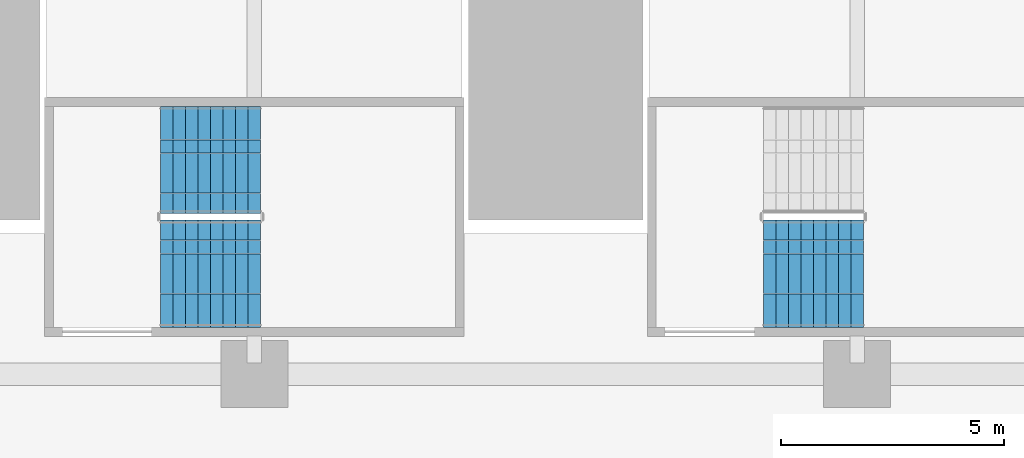
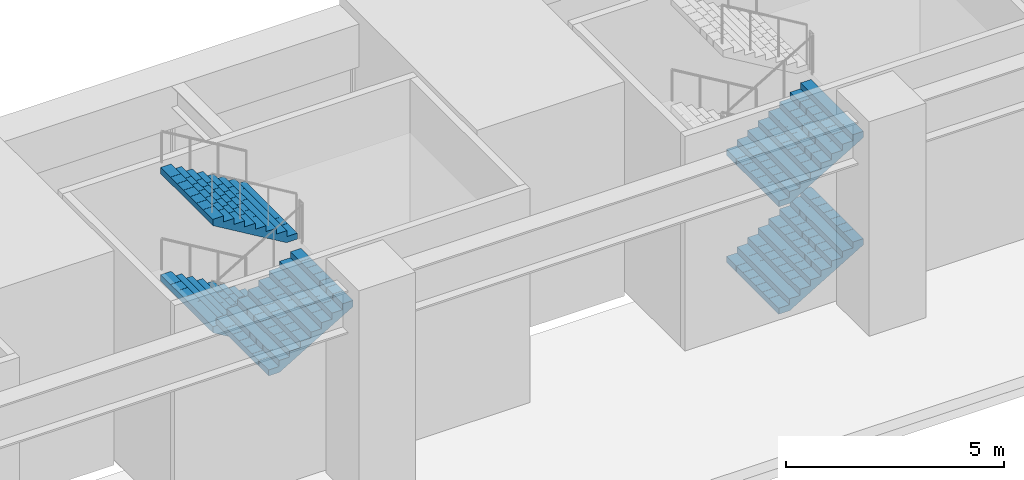
# One storey, part 30 of 41: 5 stair flights, 2 elements without a shape of their own.
"""IFC4 building model written with IfcOpenShell, lengths in metres."""

from ifc_helpers import new_model, si_unit, direction, frame, origin, place, context, subcontext, project, spatial, polyline, outline, extrude, material, type_object, element, aggregate, save


model = new_model("IFC4")

# Units and contexts
model_context = context("Model", 3, precision=1e-05, world=origin(), true_north=direction((0.0, 1.0)))
body_context = subcontext(model_context, "Body", "Model", "MODEL_VIEW")
ifc_project = project(units=[si_unit("LENGTHUNIT", "METRE"), si_unit("AREAUNIT", "SQUARE_METRE"), si_unit("VOLUMEUNIT", "CUBIC_METRE"), si_unit("PLANEANGLEUNIT", "RADIAN"), si_unit("MASSUNIT", "GRAM", prefix="KILO")], contexts=[model_context])

# Site, building, storey
site_placement = place(None, origin())
site = spatial("IfcSite", under=ifc_project, at=site_placement, CompositionType="ELEMENT")
building_placement = place(site_placement, origin())
building = spatial("IfcBuilding", under=site, at=building_placement, Name="Corbelhall Arena Tower", CompositionType="ELEMENT")
storey_placement = place(building_placement, frame((0.0, 0.0, 19.0)))
storey = spatial("IfcBuildingStorey", under=building, at=storey_placement, Name="L02", CompositionType="ELEMENT", Elevation=19.0)

# Stair, stair flights
ifc_material = material(Name="Reinforced concrete C40/50", Category="concrete")
stair_type = type_object("IfcStairType", Name="AR-EXIT-STAIR", PredefinedType="HALF_TURN_STAIR", material=ifc_material)
stair_1_placement = place(storey_placement, origin())
stair_1 = element("IfcStair", 1, at=stair_1_placement, inside=storey, type_object=stair_type, Name="L02 exit stair AS10", PredefinedType="HALF_TURN_STAIR")
stair_flight_type = type_object("IfcStairFlightType", Name="AR-EXIT-FLIGHT", PredefinedType="STRAIGHT", material=ifc_material)
stair_flight_1_placement = place(storey_placement, frame((-6.610107421875, 34.050048828125, 1.5), z_axis=(0.0, 0.0, 1.0), x_axis=(-1.0, 0.0, 0.0)))
stair_flight_1 = element("IfcStairFlight", 2, at=stair_flight_1_placement, type_object=stair_flight_type, Name="AS10 flight 2", NumberOfRisers=9, NumberOfTreads=8, PredefinedType="STRAIGHT", RiserHeight=0.166666667, TreadLength=0.28, context=body_context, shape_type="SweptSolid", body=[
    extrude(outline(polyline([(0.0, 0.0), (0.0, 0.166748046875), (0.280029296875, 0.166748046875), (0.280029296875, 0.333251953125), (0.56005859375, 0.333251953125), (0.56005859375, 0.5), (0.840087890625, 0.5), (0.840087890625, 0.666748046875), (1.1201171875, 0.666748046875), (1.1201171875, 0.833251953125), (1.39990234375, 0.833251953125), (1.39990234375, 1.0), (1.679931640625, 1.0), (1.679931640625, 1.166748046875), (1.9599609375, 1.166748046875), (1.9599609375, 1.333251953125), (2.239990234375, 1.333251953125), (2.239990234375, 1.5), (2.239990234375, 1.158935546875), (0.29296875, 0.0), (0.0, 0.0)])), frame((0.0, 1.199951171875, 0.0), z_axis=(0.0, -1.0, 0.0), x_axis=(1.0, 0.0, 0.0)), (0.0, 0.0, 1.0), 0.449951171875),
    extrude(outline(polyline([(0.0, 0.0), (0.0, 0.166748046875), (0.280029296875, 0.166748046875), (0.280029296875, 0.333251953125), (0.56005859375, 0.333251953125), (0.56005859375, 0.5), (0.840087890625, 0.5), (0.840087890625, 0.666748046875), (1.1201171875, 0.666748046875), (1.1201171875, 0.833251953125), (1.39990234375, 0.833251953125), (1.39990234375, 1.0), (1.679931640625, 1.0), (1.679931640625, 1.166748046875), (1.9599609375, 1.166748046875), (1.9599609375, 1.333251953125), (2.239990234375, 1.333251953125), (2.239990234375, 1.5), (2.239990234375, 1.158935546875), (0.29296875, 0.0), (0.0, 0.0)])), frame((0.0, 0.745849609375, 0.0), z_axis=(0.0, -1.0, 0.0), x_axis=(1.0, 0.0, 0.0)), (0.0, 0.0, 1.0), 0.295166015625),
    extrude(outline(polyline([(0.0, 0.0), (0.0, 0.166748046875), (0.280029296875, 0.166748046875), (0.280029296875, 0.333251953125), (0.56005859375, 0.333251953125), (0.56005859375, 0.5), (0.840087890625, 0.5), (0.840087890625, 0.666748046875), (1.1201171875, 0.666748046875), (1.1201171875, 0.833251953125), (1.39990234375, 0.833251953125), (1.39990234375, 1.0), (1.679931640625, 1.0), (1.679931640625, 1.166748046875), (1.9599609375, 1.166748046875), (1.9599609375, 1.333251953125), (2.239990234375, 1.333251953125), (2.239990234375, 1.5), (2.239990234375, 1.158935546875), (0.29296875, 0.0), (0.0, 0.0)])), frame((0.0, 0.44677734375, 0.0), z_axis=(0.0, -1.0, 0.0), x_axis=(1.0, 0.0, 0.0)), (0.0, 0.0, 1.0), 0.295166015625),
    extrude(outline(polyline([(0.0, 0.0), (0.0, 0.166748046875), (0.280029296875, 0.166748046875), (0.280029296875, 0.333251953125), (0.56005859375, 0.333251953125), (0.56005859375, 0.5), (0.840087890625, 0.5), (0.840087890625, 0.666748046875), (1.1201171875, 0.666748046875), (1.1201171875, 0.833251953125), (1.39990234375, 0.833251953125), (1.39990234375, 1.0), (1.679931640625, 1.0), (1.679931640625, 1.166748046875), (1.9599609375, 1.166748046875), (1.9599609375, 1.333251953125), (2.239990234375, 1.333251953125), (2.239990234375, 1.5), (2.239990234375, 1.158935546875), (0.29296875, 0.0), (0.0, 0.0)])), frame((0.0, 0.147705078125, 0.0), z_axis=(0.0, -1.0, 0.0), x_axis=(1.0, 0.0, 0.0)), (0.0, 0.0, 1.0), 0.295166015625),
    extrude(outline(polyline([(0.0, 0.0), (0.0, 0.166748046875), (0.280029296875, 0.166748046875), (0.280029296875, 0.333251953125), (0.56005859375, 0.333251953125), (0.56005859375, 0.5), (0.840087890625, 0.5), (0.840087890625, 0.666748046875), (1.1201171875, 0.666748046875), (1.1201171875, 0.833251953125), (1.39990234375, 0.833251953125), (1.39990234375, 1.0), (1.679931640625, 1.0), (1.679931640625, 1.166748046875), (1.9599609375, 1.166748046875), (1.9599609375, 1.333251953125), (2.239990234375, 1.333251953125), (2.239990234375, 1.5), (2.239990234375, 1.158935546875), (0.29296875, 0.0), (0.0, 0.0)])), frame((0.0, -0.151611328125, 0.0), z_axis=(0.0, -1.0, 0.0), x_axis=(1.0, 0.0, 0.0)), (0.0, 0.0, 1.0), 0.295166015625),
    extrude(outline(polyline([(0.0, 0.0), (0.0, 0.166748046875), (0.280029296875, 0.166748046875), (0.280029296875, 0.333251953125), (0.56005859375, 0.333251953125), (0.56005859375, 0.5), (0.840087890625, 0.5), (0.840087890625, 0.666748046875), (1.1201171875, 0.666748046875), (1.1201171875, 0.833251953125), (1.39990234375, 0.833251953125), (1.39990234375, 1.0), (1.679931640625, 1.0), (1.679931640625, 1.166748046875), (1.9599609375, 1.166748046875), (1.9599609375, 1.333251953125), (2.239990234375, 1.333251953125), (2.239990234375, 1.5), (2.239990234375, 1.158935546875), (0.29296875, 0.0), (0.0, 0.0)])), frame((0.0, -0.45068359375, 0.0), z_axis=(0.0, -1.0, 0.0), x_axis=(1.0, 0.0, 0.0)), (0.0, 0.0, 1.0), 0.295166015625),
    extrude(outline(polyline([(0.0, 0.0), (0.0, 0.166748046875), (0.280029296875, 0.166748046875), (0.280029296875, 0.333251953125), (0.56005859375, 0.333251953125), (0.56005859375, 0.5), (0.840087890625, 0.5), (0.840087890625, 0.666748046875), (1.1201171875, 0.666748046875), (1.1201171875, 0.833251953125), (1.39990234375, 0.833251953125), (1.39990234375, 1.0), (1.679931640625, 1.0), (1.679931640625, 1.166748046875), (1.9599609375, 1.166748046875), (1.9599609375, 1.333251953125), (2.239990234375, 1.333251953125), (2.239990234375, 1.5), (2.239990234375, 1.158935546875), (0.29296875, 0.0), (0.0, 0.0)])), frame((0.0, -0.75, 0.0), z_axis=(0.0, -1.0, 0.0), x_axis=(1.0, 0.0, 0.0)), (0.0, 0.0, 1.0), 0.449951171875),
])
stair_flight_2_placement = place(storey_placement, frame((-8.85009765625, 31.5, 3.0), z_axis=(0.0, 0.0, 1.0), x_axis=(1.0, 0.0, 0.0)))
stair_flight_2 = element("IfcStairFlight", 3, at=stair_flight_2_placement, type_object=stair_flight_type, Name="AS10 flight 3", NumberOfRisers=9, NumberOfTreads=8, PredefinedType="STRAIGHT", RiserHeight=0.166666667, TreadLength=0.28, context=body_context, shape_type="SweptSolid", body=[
    extrude(outline(polyline([(0.0, 0.0), (0.0, 0.166748046875), (0.280029296875, 0.166748046875), (0.280029296875, 0.333251953125), (0.56005859375, 0.333251953125), (0.56005859375, 0.5), (0.840087890625, 0.5), (0.840087890625, 0.666748046875), (1.1201171875, 0.666748046875), (1.1201171875, 0.833251953125), (1.39990234375, 0.833251953125), (1.39990234375, 1.0), (1.679931640625, 1.0), (1.679931640625, 1.166748046875), (1.9599609375, 1.166748046875), (1.9599609375, 1.333251953125), (2.239990234375, 1.333251953125), (2.239990234375, 1.5), (2.239990234375, 1.158935546875), (0.29296875, 0.0), (0.0, 0.0)])), frame((0.0, 1.199951171875, 0.0), z_axis=(0.0, -1.0, 0.0), x_axis=(1.0, 0.0, 0.0)), (0.0, 0.0, 1.0), 0.449951171875),
    extrude(outline(polyline([(0.0, 0.0), (0.0, 0.166748046875), (0.280029296875, 0.166748046875), (0.280029296875, 0.333251953125), (0.56005859375, 0.333251953125), (0.56005859375, 0.5), (0.840087890625, 0.5), (0.840087890625, 0.666748046875), (1.1201171875, 0.666748046875), (1.1201171875, 0.833251953125), (1.39990234375, 0.833251953125), (1.39990234375, 1.0), (1.679931640625, 1.0), (1.679931640625, 1.166748046875), (1.9599609375, 1.166748046875), (1.9599609375, 1.333251953125), (2.239990234375, 1.333251953125), (2.239990234375, 1.5), (2.239990234375, 1.158935546875), (0.29296875, 0.0), (0.0, 0.0)])), frame((0.0, 0.745849609375, 0.0), z_axis=(0.0, -1.0, 0.0), x_axis=(1.0, 0.0, 0.0)), (0.0, 0.0, 1.0), 0.295166015625),
    extrude(outline(polyline([(0.0, 0.0), (0.0, 0.166748046875), (0.280029296875, 0.166748046875), (0.280029296875, 0.333251953125), (0.56005859375, 0.333251953125), (0.56005859375, 0.5), (0.840087890625, 0.5), (0.840087890625, 0.666748046875), (1.1201171875, 0.666748046875), (1.1201171875, 0.833251953125), (1.39990234375, 0.833251953125), (1.39990234375, 1.0), (1.679931640625, 1.0), (1.679931640625, 1.166748046875), (1.9599609375, 1.166748046875), (1.9599609375, 1.333251953125), (2.239990234375, 1.333251953125), (2.239990234375, 1.5), (2.239990234375, 1.158935546875), (0.29296875, 0.0), (0.0, 0.0)])), frame((0.0, 0.44677734375, 0.0), z_axis=(0.0, -1.0, 0.0), x_axis=(1.0, 0.0, 0.0)), (0.0, 0.0, 1.0), 0.295166015625),
    extrude(outline(polyline([(0.0, 0.0), (0.0, 0.166748046875), (0.280029296875, 0.166748046875), (0.280029296875, 0.333251953125), (0.56005859375, 0.333251953125), (0.56005859375, 0.5), (0.840087890625, 0.5), (0.840087890625, 0.666748046875), (1.1201171875, 0.666748046875), (1.1201171875, 0.833251953125), (1.39990234375, 0.833251953125), (1.39990234375, 1.0), (1.679931640625, 1.0), (1.679931640625, 1.166748046875), (1.9599609375, 1.166748046875), (1.9599609375, 1.333251953125), (2.239990234375, 1.333251953125), (2.239990234375, 1.5), (2.239990234375, 1.158935546875), (0.29296875, 0.0), (0.0, 0.0)])), frame((0.0, 0.147705078125, 0.0), z_axis=(0.0, -1.0, 0.0), x_axis=(1.0, 0.0, 0.0)), (0.0, 0.0, 1.0), 0.295166015625),
    extrude(outline(polyline([(0.0, 0.0), (0.0, 0.166748046875), (0.280029296875, 0.166748046875), (0.280029296875, 0.333251953125), (0.56005859375, 0.333251953125), (0.56005859375, 0.5), (0.840087890625, 0.5), (0.840087890625, 0.666748046875), (1.1201171875, 0.666748046875), (1.1201171875, 0.833251953125), (1.39990234375, 0.833251953125), (1.39990234375, 1.0), (1.679931640625, 1.0), (1.679931640625, 1.166748046875), (1.9599609375, 1.166748046875), (1.9599609375, 1.333251953125), (2.239990234375, 1.333251953125), (2.239990234375, 1.5), (2.239990234375, 1.158935546875), (0.29296875, 0.0), (0.0, 0.0)])), frame((0.0, -0.151611328125, 0.0), z_axis=(0.0, -1.0, 0.0), x_axis=(1.0, 0.0, 0.0)), (0.0, 0.0, 1.0), 0.295166015625),
    extrude(outline(polyline([(0.0, 0.0), (0.0, 0.166748046875), (0.280029296875, 0.166748046875), (0.280029296875, 0.333251953125), (0.56005859375, 0.333251953125), (0.56005859375, 0.5), (0.840087890625, 0.5), (0.840087890625, 0.666748046875), (1.1201171875, 0.666748046875), (1.1201171875, 0.833251953125), (1.39990234375, 0.833251953125), (1.39990234375, 1.0), (1.679931640625, 1.0), (1.679931640625, 1.166748046875), (1.9599609375, 1.166748046875), (1.9599609375, 1.333251953125), (2.239990234375, 1.333251953125), (2.239990234375, 1.5), (2.239990234375, 1.158935546875), (0.29296875, 0.0), (0.0, 0.0)])), frame((0.0, -0.45068359375, 0.0), z_axis=(0.0, -1.0, 0.0), x_axis=(1.0, 0.0, 0.0)), (0.0, 0.0, 1.0), 0.295166015625),
    extrude(outline(polyline([(0.0, 0.0), (0.0, 0.166748046875), (0.280029296875, 0.166748046875), (0.280029296875, 0.333251953125), (0.56005859375, 0.333251953125), (0.56005859375, 0.5), (0.840087890625, 0.5), (0.840087890625, 0.666748046875), (1.1201171875, 0.666748046875), (1.1201171875, 0.833251953125), (1.39990234375, 0.833251953125), (1.39990234375, 1.0), (1.679931640625, 1.0), (1.679931640625, 1.166748046875), (1.9599609375, 1.166748046875), (1.9599609375, 1.333251953125), (2.239990234375, 1.333251953125), (2.239990234375, 1.5), (2.239990234375, 1.158935546875), (0.29296875, 0.0), (0.0, 0.0)])), frame((0.0, -0.75, 0.0), z_axis=(0.0, -1.0, 0.0), x_axis=(1.0, 0.0, 0.0)), (0.0, 0.0, 1.0), 0.449951171875),
])
stair_flight_3_placement = place(storey_placement, frame((-6.610107421875, 34.050048828125, 4.5), z_axis=(0.0, 0.0, 1.0), x_axis=(-1.0, 0.0, 0.0)))
stair_flight_3 = element("IfcStairFlight", 4, at=stair_flight_3_placement, type_object=stair_flight_type, Name="AS10 flight 4", NumberOfRisers=9, NumberOfTreads=8, PredefinedType="STRAIGHT", RiserHeight=0.166666667, TreadLength=0.28, context=body_context, shape_type="SweptSolid", body=[
    extrude(outline(polyline([(0.0, 0.0), (0.0, 0.166748046875), (0.280029296875, 0.166748046875), (0.280029296875, 0.333251953125), (0.56005859375, 0.333251953125), (0.56005859375, 0.5), (0.840087890625, 0.5), (0.840087890625, 0.666748046875), (1.1201171875, 0.666748046875), (1.1201171875, 0.833251953125), (1.39990234375, 0.833251953125), (1.39990234375, 1.0), (1.679931640625, 1.0), (1.679931640625, 1.166748046875), (1.9599609375, 1.166748046875), (1.9599609375, 1.333251953125), (2.239990234375, 1.333251953125), (2.239990234375, 1.5), (2.239990234375, 1.158935546875), (0.29296875, 0.0), (0.0, 0.0)])), frame((0.0, 1.199951171875, 0.0), z_axis=(0.0, -1.0, 0.0), x_axis=(1.0, 0.0, 0.0)), (0.0, 0.0, 1.0), 0.449951171875),
    extrude(outline(polyline([(0.0, 0.0), (0.0, 0.166748046875), (0.280029296875, 0.166748046875), (0.280029296875, 0.333251953125), (0.56005859375, 0.333251953125), (0.56005859375, 0.5), (0.840087890625, 0.5), (0.840087890625, 0.666748046875), (1.1201171875, 0.666748046875), (1.1201171875, 0.833251953125), (1.39990234375, 0.833251953125), (1.39990234375, 1.0), (1.679931640625, 1.0), (1.679931640625, 1.166748046875), (1.9599609375, 1.166748046875), (1.9599609375, 1.333251953125), (2.239990234375, 1.333251953125), (2.239990234375, 1.5), (2.239990234375, 1.158935546875), (0.29296875, 0.0), (0.0, 0.0)])), frame((0.0, 0.745849609375, 0.0), z_axis=(0.0, -1.0, 0.0), x_axis=(1.0, 0.0, 0.0)), (0.0, 0.0, 1.0), 0.295166015625),
    extrude(outline(polyline([(0.0, 0.0), (0.0, 0.166748046875), (0.280029296875, 0.166748046875), (0.280029296875, 0.333251953125), (0.56005859375, 0.333251953125), (0.56005859375, 0.5), (0.840087890625, 0.5), (0.840087890625, 0.666748046875), (1.1201171875, 0.666748046875), (1.1201171875, 0.833251953125), (1.39990234375, 0.833251953125), (1.39990234375, 1.0), (1.679931640625, 1.0), (1.679931640625, 1.166748046875), (1.9599609375, 1.166748046875), (1.9599609375, 1.333251953125), (2.239990234375, 1.333251953125), (2.239990234375, 1.5), (2.239990234375, 1.158935546875), (0.29296875, 0.0), (0.0, 0.0)])), frame((0.0, 0.44677734375, 0.0), z_axis=(0.0, -1.0, 0.0), x_axis=(1.0, 0.0, 0.0)), (0.0, 0.0, 1.0), 0.295166015625),
    extrude(outline(polyline([(0.0, 0.0), (0.0, 0.166748046875), (0.280029296875, 0.166748046875), (0.280029296875, 0.333251953125), (0.56005859375, 0.333251953125), (0.56005859375, 0.5), (0.840087890625, 0.5), (0.840087890625, 0.666748046875), (1.1201171875, 0.666748046875), (1.1201171875, 0.833251953125), (1.39990234375, 0.833251953125), (1.39990234375, 1.0), (1.679931640625, 1.0), (1.679931640625, 1.166748046875), (1.9599609375, 1.166748046875), (1.9599609375, 1.333251953125), (2.239990234375, 1.333251953125), (2.239990234375, 1.5), (2.239990234375, 1.158935546875), (0.29296875, 0.0), (0.0, 0.0)])), frame((0.0, 0.147705078125, 0.0), z_axis=(0.0, -1.0, 0.0), x_axis=(1.0, 0.0, 0.0)), (0.0, 0.0, 1.0), 0.295166015625),
    extrude(outline(polyline([(0.0, 0.0), (0.0, 0.166748046875), (0.280029296875, 0.166748046875), (0.280029296875, 0.333251953125), (0.56005859375, 0.333251953125), (0.56005859375, 0.5), (0.840087890625, 0.5), (0.840087890625, 0.666748046875), (1.1201171875, 0.666748046875), (1.1201171875, 0.833251953125), (1.39990234375, 0.833251953125), (1.39990234375, 1.0), (1.679931640625, 1.0), (1.679931640625, 1.166748046875), (1.9599609375, 1.166748046875), (1.9599609375, 1.333251953125), (2.239990234375, 1.333251953125), (2.239990234375, 1.5), (2.239990234375, 1.158935546875), (0.29296875, 0.0), (0.0, 0.0)])), frame((0.0, -0.151611328125, 0.0), z_axis=(0.0, -1.0, 0.0), x_axis=(1.0, 0.0, 0.0)), (0.0, 0.0, 1.0), 0.295166015625),
    extrude(outline(polyline([(0.0, 0.0), (0.0, 0.166748046875), (0.280029296875, 0.166748046875), (0.280029296875, 0.333251953125), (0.56005859375, 0.333251953125), (0.56005859375, 0.5), (0.840087890625, 0.5), (0.840087890625, 0.666748046875), (1.1201171875, 0.666748046875), (1.1201171875, 0.833251953125), (1.39990234375, 0.833251953125), (1.39990234375, 1.0), (1.679931640625, 1.0), (1.679931640625, 1.166748046875), (1.9599609375, 1.166748046875), (1.9599609375, 1.333251953125), (2.239990234375, 1.333251953125), (2.239990234375, 1.5), (2.239990234375, 1.158935546875), (0.29296875, 0.0), (0.0, 0.0)])), frame((0.0, -0.45068359375, 0.0), z_axis=(0.0, -1.0, 0.0), x_axis=(1.0, 0.0, 0.0)), (0.0, 0.0, 1.0), 0.295166015625),
    extrude(outline(polyline([(0.0, 0.0), (0.0, 0.166748046875), (0.280029296875, 0.166748046875), (0.280029296875, 0.333251953125), (0.56005859375, 0.333251953125), (0.56005859375, 0.5), (0.840087890625, 0.5), (0.840087890625, 0.666748046875), (1.1201171875, 0.666748046875), (1.1201171875, 0.833251953125), (1.39990234375, 0.833251953125), (1.39990234375, 1.0), (1.679931640625, 1.0), (1.679931640625, 1.166748046875), (1.9599609375, 1.166748046875), (1.9599609375, 1.333251953125), (2.239990234375, 1.333251953125), (2.239990234375, 1.5), (2.239990234375, 1.158935546875), (0.29296875, 0.0), (0.0, 0.0)])), frame((0.0, -0.75, 0.0), z_axis=(0.0, -1.0, 0.0), x_axis=(1.0, 0.0, 0.0)), (0.0, 0.0, 1.0), 0.449951171875),
])
aggregate(stair_1, [stair_flight_1, stair_flight_2, stair_flight_3])

stair_2_placement = place(storey_placement, origin())
stair_2 = element("IfcStair", 5, at=stair_2_placement, inside=storey, type_object=stair_type, Name="L02 exit stair AS11", PredefinedType="HALF_TURN_STAIR")
stair_flight_4_placement = place(storey_placement, frame((4.64990234375, 31.5, 0.0), z_axis=(0.0, 0.0, 1.0), x_axis=(1.0, 0.0, 0.0)))
stair_flight_4 = element("IfcStairFlight", 6, at=stair_flight_4_placement, type_object=stair_flight_type, Name="AS11 flight 1", NumberOfRisers=9, NumberOfTreads=8, PredefinedType="STRAIGHT", RiserHeight=0.166666667, TreadLength=0.28, context=body_context, shape_type="SweptSolid", body=[
    extrude(outline(polyline([(0.0, 0.0), (0.0, 0.166748046875), (0.280029296875, 0.166748046875), (0.280029296875, 0.333251953125), (0.56005859375, 0.333251953125), (0.56005859375, 0.5), (0.840087890625, 0.5), (0.840087890625, 0.666748046875), (1.1201171875, 0.666748046875), (1.1201171875, 0.833251953125), (1.39990234375, 0.833251953125), (1.39990234375, 1.0), (1.679931640625, 1.0), (1.679931640625, 1.166748046875), (1.9599609375, 1.166748046875), (1.9599609375, 1.333251953125), (2.239990234375, 1.333251953125), (2.239990234375, 1.5), (2.239990234375, 1.158935546875), (0.29296875, 0.0), (0.0, 0.0)])), frame((0.0, 1.199951171875, 0.0), z_axis=(0.0, -1.0, 0.0), x_axis=(1.0, 0.0, 0.0)), (0.0, 0.0, 1.0), 0.449951171875),
    extrude(outline(polyline([(0.0, 0.0), (0.0, 0.166748046875), (0.280029296875, 0.166748046875), (0.280029296875, 0.333251953125), (0.56005859375, 0.333251953125), (0.56005859375, 0.5), (0.840087890625, 0.5), (0.840087890625, 0.666748046875), (1.1201171875, 0.666748046875), (1.1201171875, 0.833251953125), (1.39990234375, 0.833251953125), (1.39990234375, 1.0), (1.679931640625, 1.0), (1.679931640625, 1.166748046875), (1.9599609375, 1.166748046875), (1.9599609375, 1.333251953125), (2.239990234375, 1.333251953125), (2.239990234375, 1.5), (2.239990234375, 1.158935546875), (0.29296875, 0.0), (0.0, 0.0)])), frame((0.0, 0.745849609375, 0.0), z_axis=(0.0, -1.0, 0.0), x_axis=(1.0, 0.0, 0.0)), (0.0, 0.0, 1.0), 0.295166015625),
    extrude(outline(polyline([(0.0, 0.0), (0.0, 0.166748046875), (0.280029296875, 0.166748046875), (0.280029296875, 0.333251953125), (0.56005859375, 0.333251953125), (0.56005859375, 0.5), (0.840087890625, 0.5), (0.840087890625, 0.666748046875), (1.1201171875, 0.666748046875), (1.1201171875, 0.833251953125), (1.39990234375, 0.833251953125), (1.39990234375, 1.0), (1.679931640625, 1.0), (1.679931640625, 1.166748046875), (1.9599609375, 1.166748046875), (1.9599609375, 1.333251953125), (2.239990234375, 1.333251953125), (2.239990234375, 1.5), (2.239990234375, 1.158935546875), (0.29296875, 0.0), (0.0, 0.0)])), frame((0.0, 0.44677734375, 0.0), z_axis=(0.0, -1.0, 0.0), x_axis=(1.0, 0.0, 0.0)), (0.0, 0.0, 1.0), 0.295166015625),
    extrude(outline(polyline([(0.0, 0.0), (0.0, 0.166748046875), (0.280029296875, 0.166748046875), (0.280029296875, 0.333251953125), (0.56005859375, 0.333251953125), (0.56005859375, 0.5), (0.840087890625, 0.5), (0.840087890625, 0.666748046875), (1.1201171875, 0.666748046875), (1.1201171875, 0.833251953125), (1.39990234375, 0.833251953125), (1.39990234375, 1.0), (1.679931640625, 1.0), (1.679931640625, 1.166748046875), (1.9599609375, 1.166748046875), (1.9599609375, 1.333251953125), (2.239990234375, 1.333251953125), (2.239990234375, 1.5), (2.239990234375, 1.158935546875), (0.29296875, 0.0), (0.0, 0.0)])), frame((0.0, 0.147705078125, 0.0), z_axis=(0.0, -1.0, 0.0), x_axis=(1.0, 0.0, 0.0)), (0.0, 0.0, 1.0), 0.295166015625),
    extrude(outline(polyline([(0.0, 0.0), (0.0, 0.166748046875), (0.280029296875, 0.166748046875), (0.280029296875, 0.333251953125), (0.56005859375, 0.333251953125), (0.56005859375, 0.5), (0.840087890625, 0.5), (0.840087890625, 0.666748046875), (1.1201171875, 0.666748046875), (1.1201171875, 0.833251953125), (1.39990234375, 0.833251953125), (1.39990234375, 1.0), (1.679931640625, 1.0), (1.679931640625, 1.166748046875), (1.9599609375, 1.166748046875), (1.9599609375, 1.333251953125), (2.239990234375, 1.333251953125), (2.239990234375, 1.5), (2.239990234375, 1.158935546875), (0.29296875, 0.0), (0.0, 0.0)])), frame((0.0, -0.151611328125, 0.0), z_axis=(0.0, -1.0, 0.0), x_axis=(1.0, 0.0, 0.0)), (0.0, 0.0, 1.0), 0.295166015625),
    extrude(outline(polyline([(0.0, 0.0), (0.0, 0.166748046875), (0.280029296875, 0.166748046875), (0.280029296875, 0.333251953125), (0.56005859375, 0.333251953125), (0.56005859375, 0.5), (0.840087890625, 0.5), (0.840087890625, 0.666748046875), (1.1201171875, 0.666748046875), (1.1201171875, 0.833251953125), (1.39990234375, 0.833251953125), (1.39990234375, 1.0), (1.679931640625, 1.0), (1.679931640625, 1.166748046875), (1.9599609375, 1.166748046875), (1.9599609375, 1.333251953125), (2.239990234375, 1.333251953125), (2.239990234375, 1.5), (2.239990234375, 1.158935546875), (0.29296875, 0.0), (0.0, 0.0)])), frame((0.0, -0.45068359375, 0.0), z_axis=(0.0, -1.0, 0.0), x_axis=(1.0, 0.0, 0.0)), (0.0, 0.0, 1.0), 0.295166015625),
    extrude(outline(polyline([(0.0, 0.0), (0.0, 0.166748046875), (0.280029296875, 0.166748046875), (0.280029296875, 0.333251953125), (0.56005859375, 0.333251953125), (0.56005859375, 0.5), (0.840087890625, 0.5), (0.840087890625, 0.666748046875), (1.1201171875, 0.666748046875), (1.1201171875, 0.833251953125), (1.39990234375, 0.833251953125), (1.39990234375, 1.0), (1.679931640625, 1.0), (1.679931640625, 1.166748046875), (1.9599609375, 1.166748046875), (1.9599609375, 1.333251953125), (2.239990234375, 1.333251953125), (2.239990234375, 1.5), (2.239990234375, 1.158935546875), (0.29296875, 0.0), (0.0, 0.0)])), frame((0.0, -0.75, 0.0), z_axis=(0.0, -1.0, 0.0), x_axis=(1.0, 0.0, 0.0)), (0.0, 0.0, 1.0), 0.449951171875),
])
stair_flight_5_placement = place(storey_placement, frame((4.64990234375, 31.5, 3.0), z_axis=(0.0, 0.0, 1.0), x_axis=(1.0, 0.0, 0.0)))
stair_flight_5 = element("IfcStairFlight", 7, at=stair_flight_5_placement, type_object=stair_flight_type, Name="AS11 flight 3", NumberOfRisers=9, NumberOfTreads=8, PredefinedType="STRAIGHT", RiserHeight=0.166666667, TreadLength=0.28, context=body_context, shape_type="SweptSolid", body=[
    extrude(outline(polyline([(0.0, 0.0), (0.0, 0.166748046875), (0.280029296875, 0.166748046875), (0.280029296875, 0.333251953125), (0.56005859375, 0.333251953125), (0.56005859375, 0.5), (0.840087890625, 0.5), (0.840087890625, 0.666748046875), (1.1201171875, 0.666748046875), (1.1201171875, 0.833251953125), (1.39990234375, 0.833251953125), (1.39990234375, 1.0), (1.679931640625, 1.0), (1.679931640625, 1.166748046875), (1.9599609375, 1.166748046875), (1.9599609375, 1.333251953125), (2.239990234375, 1.333251953125), (2.239990234375, 1.5), (2.239990234375, 1.158935546875), (0.29296875, 0.0), (0.0, 0.0)])), frame((0.0, 1.199951171875, 0.0), z_axis=(0.0, -1.0, 0.0), x_axis=(1.0, 0.0, 0.0)), (0.0, 0.0, 1.0), 0.449951171875),
    extrude(outline(polyline([(0.0, 0.0), (0.0, 0.166748046875), (0.280029296875, 0.166748046875), (0.280029296875, 0.333251953125), (0.56005859375, 0.333251953125), (0.56005859375, 0.5), (0.840087890625, 0.5), (0.840087890625, 0.666748046875), (1.1201171875, 0.666748046875), (1.1201171875, 0.833251953125), (1.39990234375, 0.833251953125), (1.39990234375, 1.0), (1.679931640625, 1.0), (1.679931640625, 1.166748046875), (1.9599609375, 1.166748046875), (1.9599609375, 1.333251953125), (2.239990234375, 1.333251953125), (2.239990234375, 1.5), (2.239990234375, 1.158935546875), (0.29296875, 0.0), (0.0, 0.0)])), frame((0.0, 0.745849609375, 0.0), z_axis=(0.0, -1.0, 0.0), x_axis=(1.0, 0.0, 0.0)), (0.0, 0.0, 1.0), 0.295166015625),
    extrude(outline(polyline([(0.0, 0.0), (0.0, 0.166748046875), (0.280029296875, 0.166748046875), (0.280029296875, 0.333251953125), (0.56005859375, 0.333251953125), (0.56005859375, 0.5), (0.840087890625, 0.5), (0.840087890625, 0.666748046875), (1.1201171875, 0.666748046875), (1.1201171875, 0.833251953125), (1.39990234375, 0.833251953125), (1.39990234375, 1.0), (1.679931640625, 1.0), (1.679931640625, 1.166748046875), (1.9599609375, 1.166748046875), (1.9599609375, 1.333251953125), (2.239990234375, 1.333251953125), (2.239990234375, 1.5), (2.239990234375, 1.158935546875), (0.29296875, 0.0), (0.0, 0.0)])), frame((0.0, 0.44677734375, 0.0), z_axis=(0.0, -1.0, 0.0), x_axis=(1.0, 0.0, 0.0)), (0.0, 0.0, 1.0), 0.295166015625),
    extrude(outline(polyline([(0.0, 0.0), (0.0, 0.166748046875), (0.280029296875, 0.166748046875), (0.280029296875, 0.333251953125), (0.56005859375, 0.333251953125), (0.56005859375, 0.5), (0.840087890625, 0.5), (0.840087890625, 0.666748046875), (1.1201171875, 0.666748046875), (1.1201171875, 0.833251953125), (1.39990234375, 0.833251953125), (1.39990234375, 1.0), (1.679931640625, 1.0), (1.679931640625, 1.166748046875), (1.9599609375, 1.166748046875), (1.9599609375, 1.333251953125), (2.239990234375, 1.333251953125), (2.239990234375, 1.5), (2.239990234375, 1.158935546875), (0.29296875, 0.0), (0.0, 0.0)])), frame((0.0, 0.147705078125, 0.0), z_axis=(0.0, -1.0, 0.0), x_axis=(1.0, 0.0, 0.0)), (0.0, 0.0, 1.0), 0.295166015625),
    extrude(outline(polyline([(0.0, 0.0), (0.0, 0.166748046875), (0.280029296875, 0.166748046875), (0.280029296875, 0.333251953125), (0.56005859375, 0.333251953125), (0.56005859375, 0.5), (0.840087890625, 0.5), (0.840087890625, 0.666748046875), (1.1201171875, 0.666748046875), (1.1201171875, 0.833251953125), (1.39990234375, 0.833251953125), (1.39990234375, 1.0), (1.679931640625, 1.0), (1.679931640625, 1.166748046875), (1.9599609375, 1.166748046875), (1.9599609375, 1.333251953125), (2.239990234375, 1.333251953125), (2.239990234375, 1.5), (2.239990234375, 1.158935546875), (0.29296875, 0.0), (0.0, 0.0)])), frame((0.0, -0.151611328125, 0.0), z_axis=(0.0, -1.0, 0.0), x_axis=(1.0, 0.0, 0.0)), (0.0, 0.0, 1.0), 0.295166015625),
    extrude(outline(polyline([(0.0, 0.0), (0.0, 0.166748046875), (0.280029296875, 0.166748046875), (0.280029296875, 0.333251953125), (0.56005859375, 0.333251953125), (0.56005859375, 0.5), (0.840087890625, 0.5), (0.840087890625, 0.666748046875), (1.1201171875, 0.666748046875), (1.1201171875, 0.833251953125), (1.39990234375, 0.833251953125), (1.39990234375, 1.0), (1.679931640625, 1.0), (1.679931640625, 1.166748046875), (1.9599609375, 1.166748046875), (1.9599609375, 1.333251953125), (2.239990234375, 1.333251953125), (2.239990234375, 1.5), (2.239990234375, 1.158935546875), (0.29296875, 0.0), (0.0, 0.0)])), frame((0.0, -0.45068359375, 0.0), z_axis=(0.0, -1.0, 0.0), x_axis=(1.0, 0.0, 0.0)), (0.0, 0.0, 1.0), 0.295166015625),
    extrude(outline(polyline([(0.0, 0.0), (0.0, 0.166748046875), (0.280029296875, 0.166748046875), (0.280029296875, 0.333251953125), (0.56005859375, 0.333251953125), (0.56005859375, 0.5), (0.840087890625, 0.5), (0.840087890625, 0.666748046875), (1.1201171875, 0.666748046875), (1.1201171875, 0.833251953125), (1.39990234375, 0.833251953125), (1.39990234375, 1.0), (1.679931640625, 1.0), (1.679931640625, 1.166748046875), (1.9599609375, 1.166748046875), (1.9599609375, 1.333251953125), (2.239990234375, 1.333251953125), (2.239990234375, 1.5), (2.239990234375, 1.158935546875), (0.29296875, 0.0), (0.0, 0.0)])), frame((0.0, -0.75, 0.0), z_axis=(0.0, -1.0, 0.0), x_axis=(1.0, 0.0, 0.0)), (0.0, 0.0, 1.0), 0.449951171875),
])
aggregate(stair_2, [stair_flight_4, stair_flight_5])

save(model, "model.ifc")
